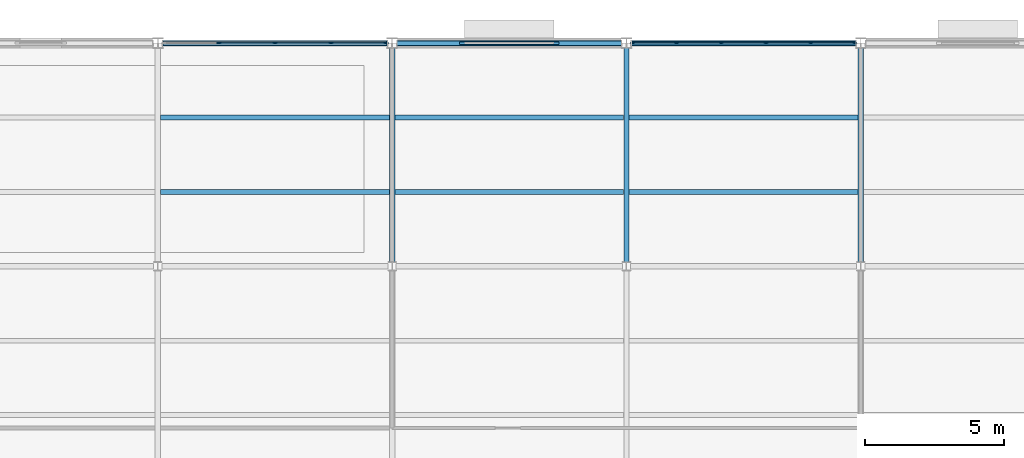
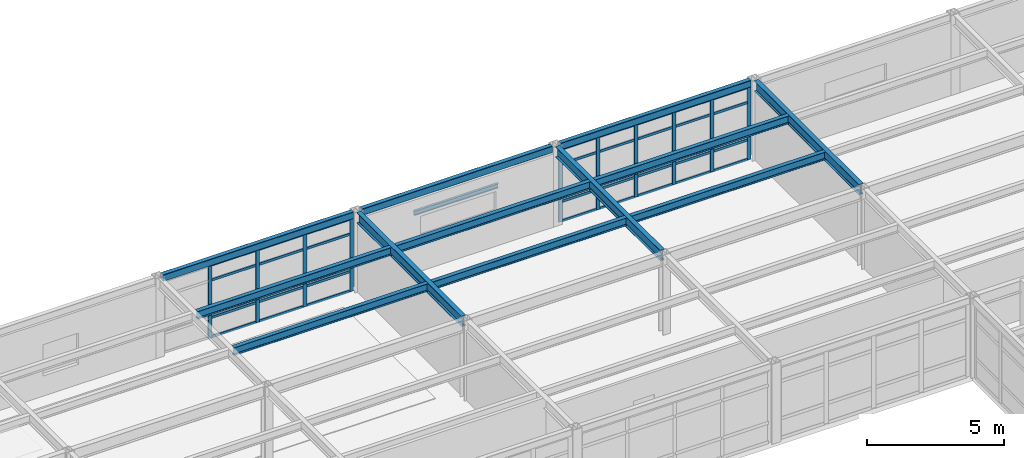
# One storey, part 34 of 96: 42 members, 13 beams, 2 elements without a shape of their own.
"""IFC4 building model written with IfcOpenShell, lengths in metres."""

from ifc_helpers import new_model, si_unit, direction, frame, origin, origin_2d, place, context, subcontext, project, spatial, rectangle, hollow_rectangle, i_section, extrude, material, layer, layer_set, material_profile, profile_set, type_object, element, aggregate, save


model = new_model("IFC4")

# Units and contexts
model_context = context("Model", 3, precision=1e-05, world=origin(), true_north=direction((0.0, 1.0)))
body_context = subcontext(model_context, "Body", "Model", "MODEL_VIEW")
ifc_project = project(units=[si_unit("LENGTHUNIT", "METRE"), si_unit("AREAUNIT", "SQUARE_METRE"), si_unit("VOLUMEUNIT", "CUBIC_METRE"), si_unit("PLANEANGLEUNIT", "RADIAN"), si_unit("MASSUNIT", "GRAM", prefix="KILO")], contexts=[model_context])

# Site, building, storey
site_placement = place(None, origin())
site = spatial("IfcSite", under=ifc_project, at=site_placement, CompositionType="ELEMENT")
building_placement = place(site_placement, origin())
building = spatial("IfcBuilding", under=site, at=building_placement, Name="Kranzveld Transit Interchange", CompositionType="ELEMENT")
storey_placement = place(building_placement, frame((0.0, 0.0, 9.52001953125)))
storey = spatial("IfcBuildingStorey", under=building, at=storey_placement, Name="L02", CompositionType="ELEMENT", Elevation=9.52001953125)

# Beams
ifc_material_1 = material(Name="Steel S355JR", Category="steel")
ifc_material_profile_1 = material_profile(ifc_material_1, i_section(OverallWidth=0.19189453125, OverallDepth=0.46337890625, WebThickness=0.010498046875, FlangeThickness=0.017578125, FilletRadius=0.01025390625, at=origin_2d()), Name="UB 457x191x89")
ifc_profile_set_1 = profile_set([ifc_material_profile_1], Name="Steel S355JR")
beam_type_1 = type_object("IfcBeamType", Name="Beam Steel UB 457x191x89 S355JR", PredefinedType="BEAM", material=ifc_profile_set_1)
for number, where, z_axis, x_axis, name in (
    (1, (134.39990234375, 104.159912109375, 3.33837890625), (0.0, 1.0, 0.0), (-1.0, 0.0, 0.0), "L02 Girder 17/P-Q"),
    (2, (142.800048828125, 104.159912109375, 3.33837890625), (0.0, 1.0, 0.0), (-1.0, 0.0, 0.0), "L02 Girder 18/P-Q"),
    (3, (151.199951171875, 104.159912109375, 3.33837890625), (0.0, 1.0, 0.0), (-1.0, 0.0, 0.0), "L02 Girder 19/P-Q"),
):
    element("IfcBeam", number, at=place(storey_placement, frame(where, z_axis=z_axis, x_axis=x_axis)), inside=storey, type_object=beam_type_1, Name=name, PredefinedType="BEAM", context=body_context, shape_type="SweptSolid", body=[
        extrude(i_section(OverallWidth=0.19189453125, OverallDepth=0.46337890625, WebThickness=0.010498046875, FlangeThickness=0.017578125, FilletRadius=0.01025390625, at=origin_2d()), origin(), (0.0, 0.0, 1.0), 7.662841796875),
    ])

# Curtain wall, members
ifc_material_2 = material(Name="Bronze-anodised thermally broken aluminium", Category="aluminium")
ifc_layer_1 = layer(ifc_material_2, 0.159912109375)
ifc_layer_set_1 = layer_set([ifc_layer_1], Name="Bronze-anodised thermally broken aluminium")
curtain_wall_type_1 = type_object("IfcCurtainWallType", Name="Bus Boarding Glazed Screen CW-3", PredefinedType="USERDEFINED", material=ifc_layer_set_1)
curtain_wall_1_placement = place(storey_placement, origin())
curtain_wall_1 = element("IfcCurtainWall", 4, at=curtain_wall_1_placement, inside=storey, type_object=curtain_wall_type_1, Name="L02 Curtain Wall 16/Q-17/Q", ObjectType="CURTAIN WALL", PredefinedType="USERDEFINED")
ifc_material_3 = material(Name="Bronze-anodised thermally broken aluminium", Category="aluminium")
ifc_material_profile_2 = material_profile(ifc_material_3, rectangle(XDim=0.06005859375, YDim=0.14990234375, at=origin_2d()), Name="ALU MULLION 60x150")
ifc_profile_set_2 = profile_set([ifc_material_profile_2], Name="Bronze-anodised thermally broken aluminium")
member_type_1 = type_object("IfcMemberType", Name="Curtain Wall Mullion 60x150 Alu", PredefinedType="MULLION", material=ifc_profile_set_2)
member_1_placement = place(storey_placement, frame((128.193603515625, 112.0, 0.0), z_axis=(0.0, 0.0, 1.0), x_axis=(0.0, 1.0, 0.0)))
member_1 = element("IfcMember", 5, at=member_1_placement, type_object=member_type_1, Name="CW-3 mullion 2", PredefinedType="MULLION", context=body_context, shape_type="SweptSolid", body=[
    extrude(rectangle(XDim=0.06005859375, YDim=0.14990234375, at=origin_2d()), origin(), (0.0, 0.0, 1.0), 3.27001953125),
])
member_2_placement = place(storey_placement, frame((130.199951171875, 112.0, 0.0), z_axis=(0.0, 0.0, 1.0), x_axis=(0.0, 1.0, 0.0)))
member_2 = element("IfcMember", 6, at=member_2_placement, type_object=member_type_1, Name="CW-3 mullion 3", PredefinedType="MULLION", context=body_context, shape_type="SweptSolid", body=[
    extrude(rectangle(XDim=0.06005859375, YDim=0.14990234375, at=origin_2d()), origin(), (0.0, 0.0, 1.0), 3.27001953125),
])
member_3_placement = place(storey_placement, frame((132.206298828125, 112.0, 0.0), z_axis=(0.0, 0.0, 1.0), x_axis=(0.0, 1.0, 0.0)))
member_3 = element("IfcMember", 7, at=member_3_placement, type_object=member_type_1, Name="CW-3 mullion 4", PredefinedType="MULLION", context=body_context, shape_type="SweptSolid", body=[
    extrude(rectangle(XDim=0.06005859375, YDim=0.14990234375, at=origin_2d()), origin(), (0.0, 0.0, 1.0), 3.27001953125),
])
member_4_placement = place(storey_placement, frame((134.1826171875, 112.0, 0.0), z_axis=(0.0, 0.0, 1.0), x_axis=(0.0, 1.0, 0.0)))
member_4 = element("IfcMember", 8, at=member_4_placement, type_object=member_type_1, Name="CW-3 mullion 5", PredefinedType="MULLION", context=body_context, shape_type="SweptSolid", body=[
    extrude(rectangle(XDim=0.06005859375, YDim=0.14990234375, at=origin_2d()), origin(), (0.0, 0.0, 1.0), 3.27001953125),
])

ifc_material_4 = material(Name="Bronze-anodised thermally broken aluminium", Category="aluminium")
ifc_layer_2 = layer(ifc_material_4, 0.14990234375)
ifc_layer_set_2 = layer_set([ifc_layer_2], Name="Bronze-anodised thermally broken aluminium")
curtain_wall_type_2 = type_object("IfcCurtainWallType", Name="Public Passage Clerestory Screen CW-4", PredefinedType="USERDEFINED", material=ifc_layer_set_2)
curtain_wall_2_placement = place(storey_placement, origin())
curtain_wall_2 = element("IfcCurtainWall", 9, at=curtain_wall_2_placement, inside=storey, type_object=curtain_wall_type_2, Name="L02 Curtain Wall 18/Q-19/Q", ObjectType="CURTAIN WALL", PredefinedType="USERDEFINED")
member_5_placement = place(storey_placement, frame((143.017333984375, 112.0, 0.0), z_axis=(0.0, 0.0, 1.0), x_axis=(0.0, 1.0, 0.0)))
member_5 = element("IfcMember", 10, at=member_5_placement, type_object=member_type_1, Name="CW-4 mullion 1", PredefinedType="MULLION", context=body_context, shape_type="SweptSolid", body=[
    extrude(rectangle(XDim=0.06005859375, YDim=0.14990234375, at=origin_2d()), origin(), (0.0, 0.0, 1.0), 3.27001953125),
])
member_6_placement = place(storey_placement, frame((144.59228515625, 112.0, 0.0), z_axis=(0.0, 0.0, 1.0), x_axis=(0.0, 1.0, 0.0)))
member_6 = element("IfcMember", 11, at=member_6_placement, type_object=member_type_1, Name="CW-4 mullion 2", PredefinedType="MULLION", context=body_context, shape_type="SweptSolid", body=[
    extrude(rectangle(XDim=0.06005859375, YDim=0.14990234375, at=origin_2d()), origin(), (0.0, 0.0, 1.0), 3.27001953125),
])
member_7_placement = place(storey_placement, frame((146.197509765625, 112.0, 0.0), z_axis=(0.0, 0.0, 1.0), x_axis=(0.0, 1.0, 0.0)))
member_7 = element("IfcMember", 12, at=member_7_placement, type_object=member_type_1, Name="CW-4 mullion 3", PredefinedType="MULLION", context=body_context, shape_type="SweptSolid", body=[
    extrude(rectangle(XDim=0.06005859375, YDim=0.14990234375, at=origin_2d()), origin(), (0.0, 0.0, 1.0), 3.27001953125),
])
member_8_placement = place(storey_placement, frame((147.802490234375, 112.0, 0.0), z_axis=(0.0, 0.0, 1.0), x_axis=(0.0, 1.0, 0.0)))
member_8 = element("IfcMember", 13, at=member_8_placement, type_object=member_type_1, Name="CW-4 mullion 4", PredefinedType="MULLION", context=body_context, shape_type="SweptSolid", body=[
    extrude(rectangle(XDim=0.06005859375, YDim=0.14990234375, at=origin_2d()), origin(), (0.0, 0.0, 1.0), 3.27001953125),
])
member_9_placement = place(storey_placement, frame((149.40771484375, 112.0, 0.0), z_axis=(0.0, 0.0, 1.0), x_axis=(0.0, 1.0, 0.0)))
member_9 = element("IfcMember", 14, at=member_9_placement, type_object=member_type_1, Name="CW-4 mullion 5", PredefinedType="MULLION", context=body_context, shape_type="SweptSolid", body=[
    extrude(rectangle(XDim=0.06005859375, YDim=0.14990234375, at=origin_2d()), origin(), (0.0, 0.0, 1.0), 3.27001953125),
])
member_10_placement = place(storey_placement, frame((150.982666015625, 112.0, 0.0), z_axis=(0.0, 0.0, 1.0), x_axis=(0.0, 1.0, 0.0)))
member_10 = element("IfcMember", 15, at=member_10_placement, type_object=member_type_1, Name="CW-4 mullion 6", PredefinedType="MULLION", context=body_context, shape_type="SweptSolid", body=[
    extrude(rectangle(XDim=0.06005859375, YDim=0.14990234375, at=origin_2d()), origin(), (0.0, 0.0, 1.0), 3.27001953125),
])

# Member
ifc_material_5 = material(Name="Bronze-anodised thermally broken aluminium", Category="aluminium")
ifc_material_profile_3 = material_profile(ifc_material_5, rectangle(XDim=0.06005859375, YDim=0.110107421875, at=origin_2d()), Name="ALU TRANSOM 60x110")
ifc_profile_set_3 = profile_set([ifc_material_profile_3], Name="Bronze-anodised thermally broken aluminium")
member_type_2 = type_object("IfcMemberType", Name="Curtain Wall Transom 60x110 Alu", PredefinedType="USERDEFINED", material=ifc_profile_set_3)
member_11_placement = place(storey_placement, frame((128.2236328125, 112.0, 0.030029296875), z_axis=(1.0, 0.0, 0.0), x_axis=(0.0, 1.0, 0.0)))
member_11 = element("IfcMember", 16, at=member_11_placement, type_object=member_type_2, Name="CW-3 transom 2.1", ObjectType="TRANSOM", PredefinedType="USERDEFINED", context=body_context, shape_type="SweptSolid", body=[
    extrude(rectangle(XDim=0.06005859375, YDim=0.110107421875, at=origin_2d()), origin(), (0.0, 0.0, 1.0), 1.9462890625),
])

member_12_placement = place(storey_placement, frame((128.2236328125, 112.0, 0.89990234375), z_axis=(1.0, 0.0, 0.0), x_axis=(0.0, 1.0, 0.0)))
member_12 = element("IfcMember", 17, at=member_12_placement, type_object=member_type_2, Name="CW-3 transom 2.2", ObjectType="TRANSOM", PredefinedType="USERDEFINED", context=body_context, shape_type="SweptSolid", body=[
    extrude(rectangle(XDim=0.06005859375, YDim=0.110107421875, at=origin_2d()), origin(), (0.0, 0.0, 1.0), 1.9462890625),
])

member_13_placement = place(storey_placement, frame((128.2236328125, 112.0, 2.570068359375), z_axis=(1.0, 0.0, 0.0), x_axis=(0.0, 1.0, 0.0)))
member_13 = element("IfcMember", 18, at=member_13_placement, type_object=member_type_2, Name="CW-3 transom 2.3", ObjectType="TRANSOM", PredefinedType="USERDEFINED", context=body_context, shape_type="SweptSolid", body=[
    extrude(rectangle(XDim=0.06005859375, YDim=0.110107421875, at=origin_2d()), origin(), (0.0, 0.0, 1.0), 1.9462890625),
])

member_14_placement = place(storey_placement, frame((128.2236328125, 112.0, 3.239990234375), z_axis=(1.0, 0.0, 0.0), x_axis=(0.0, 1.0, 0.0)))
member_14 = element("IfcMember", 19, at=member_14_placement, type_object=member_type_2, Name="CW-3 transom 2.4", ObjectType="TRANSOM", PredefinedType="USERDEFINED", context=body_context, shape_type="SweptSolid", body=[
    extrude(rectangle(XDim=0.06005859375, YDim=0.110107421875, at=origin_2d()), origin(), (0.0, 0.0, 1.0), 1.9462890625),
])

member_15_placement = place(storey_placement, frame((130.22998046875, 112.0, 0.030029296875), z_axis=(1.0, 0.0, 0.0), x_axis=(0.0, 1.0, 0.0)))
member_15 = element("IfcMember", 20, at=member_15_placement, type_object=member_type_2, Name="CW-3 transom 3.1", ObjectType="TRANSOM", PredefinedType="USERDEFINED", context=body_context, shape_type="SweptSolid", body=[
    extrude(rectangle(XDim=0.06005859375, YDim=0.110107421875, at=origin_2d()), origin(), (0.0, 0.0, 1.0), 1.9462890625),
])

member_16_placement = place(storey_placement, frame((130.22998046875, 112.0, 0.89990234375), z_axis=(1.0, 0.0, 0.0), x_axis=(0.0, 1.0, 0.0)))
member_16 = element("IfcMember", 21, at=member_16_placement, type_object=member_type_2, Name="CW-3 transom 3.2", ObjectType="TRANSOM", PredefinedType="USERDEFINED", context=body_context, shape_type="SweptSolid", body=[
    extrude(rectangle(XDim=0.06005859375, YDim=0.110107421875, at=origin_2d()), origin(), (0.0, 0.0, 1.0), 1.9462890625),
])

member_17_placement = place(storey_placement, frame((130.22998046875, 112.0, 2.570068359375), z_axis=(1.0, 0.0, 0.0), x_axis=(0.0, 1.0, 0.0)))
member_17 = element("IfcMember", 22, at=member_17_placement, type_object=member_type_2, Name="CW-3 transom 3.3", ObjectType="TRANSOM", PredefinedType="USERDEFINED", context=body_context, shape_type="SweptSolid", body=[
    extrude(rectangle(XDim=0.06005859375, YDim=0.110107421875, at=origin_2d()), origin(), (0.0, 0.0, 1.0), 1.9462890625),
])

member_18_placement = place(storey_placement, frame((130.22998046875, 112.0, 3.239990234375), z_axis=(1.0, 0.0, 0.0), x_axis=(0.0, 1.0, 0.0)))
member_18 = element("IfcMember", 23, at=member_18_placement, type_object=member_type_2, Name="CW-3 transom 3.4", ObjectType="TRANSOM", PredefinedType="USERDEFINED", context=body_context, shape_type="SweptSolid", body=[
    extrude(rectangle(XDim=0.06005859375, YDim=0.110107421875, at=origin_2d()), origin(), (0.0, 0.0, 1.0), 1.9462890625),
])

member_19_placement = place(storey_placement, frame((132.236328125, 112.0, 0.030029296875), z_axis=(1.0, 0.0, 0.0), x_axis=(0.0, 1.0, 0.0)))
member_19 = element("IfcMember", 24, at=member_19_placement, type_object=member_type_2, Name="CW-3 transom 4.1", ObjectType="TRANSOM", PredefinedType="USERDEFINED", context=body_context, shape_type="SweptSolid", body=[
    extrude(rectangle(XDim=0.06005859375, YDim=0.110107421875, at=origin_2d()), origin(), (0.0, 0.0, 1.0), 1.916259765625),
])

member_20_placement = place(storey_placement, frame((132.236328125, 112.0, 0.89990234375), z_axis=(1.0, 0.0, 0.0), x_axis=(0.0, 1.0, 0.0)))
member_20 = element("IfcMember", 25, at=member_20_placement, type_object=member_type_2, Name="CW-3 transom 4.2", ObjectType="TRANSOM", PredefinedType="USERDEFINED", context=body_context, shape_type="SweptSolid", body=[
    extrude(rectangle(XDim=0.06005859375, YDim=0.110107421875, at=origin_2d()), origin(), (0.0, 0.0, 1.0), 1.916259765625),
])

member_21_placement = place(storey_placement, frame((132.236328125, 112.0, 2.570068359375), z_axis=(1.0, 0.0, 0.0), x_axis=(0.0, 1.0, 0.0)))
member_21 = element("IfcMember", 26, at=member_21_placement, type_object=member_type_2, Name="CW-3 transom 4.3", ObjectType="TRANSOM", PredefinedType="USERDEFINED", context=body_context, shape_type="SweptSolid", body=[
    extrude(rectangle(XDim=0.06005859375, YDim=0.110107421875, at=origin_2d()), origin(), (0.0, 0.0, 1.0), 1.916259765625),
])

member_22_placement = place(storey_placement, frame((132.236328125, 112.0, 3.239990234375), z_axis=(1.0, 0.0, 0.0), x_axis=(0.0, 1.0, 0.0)))
member_22 = element("IfcMember", 27, at=member_22_placement, type_object=member_type_2, Name="CW-3 transom 4.4", ObjectType="TRANSOM", PredefinedType="USERDEFINED", context=body_context, shape_type="SweptSolid", body=[
    extrude(rectangle(XDim=0.06005859375, YDim=0.110107421875, at=origin_2d()), origin(), (0.0, 0.0, 1.0), 1.916259765625),
])

aggregate(curtain_wall_1, [member_1, member_2, member_3, member_4, member_11, member_12, member_13, member_14, member_15, member_16, member_17, member_18, member_19, member_20, member_21, member_22])

member_23_placement = place(storey_placement, frame((143.04736328125, 112.0, 0.030029296875), z_axis=(1.0, 0.0, 0.0), x_axis=(0.0, 1.0, 0.0)))
member_23 = element("IfcMember", 28, at=member_23_placement, type_object=member_type_2, Name="CW-4 transom 1.1", ObjectType="TRANSOM", PredefinedType="USERDEFINED", context=body_context, shape_type="SweptSolid", body=[
    extrude(rectangle(XDim=0.06005859375, YDim=0.110107421875, at=origin_2d()), origin(), (0.0, 0.0, 1.0), 1.51513671875),
])

member_24_placement = place(storey_placement, frame((143.04736328125, 112.0, 0.89990234375), z_axis=(1.0, 0.0, 0.0), x_axis=(0.0, 1.0, 0.0)))
member_24 = element("IfcMember", 29, at=member_24_placement, type_object=member_type_2, Name="CW-4 transom 1.2", ObjectType="TRANSOM", PredefinedType="USERDEFINED", context=body_context, shape_type="SweptSolid", body=[
    extrude(rectangle(XDim=0.06005859375, YDim=0.110107421875, at=origin_2d()), origin(), (0.0, 0.0, 1.0), 1.51513671875),
])

member_25_placement = place(storey_placement, frame((143.04736328125, 112.0, 2.570068359375), z_axis=(1.0, 0.0, 0.0), x_axis=(0.0, 1.0, 0.0)))
member_25 = element("IfcMember", 30, at=member_25_placement, type_object=member_type_2, Name="CW-4 transom 1.3", ObjectType="TRANSOM", PredefinedType="USERDEFINED", context=body_context, shape_type="SweptSolid", body=[
    extrude(rectangle(XDim=0.06005859375, YDim=0.110107421875, at=origin_2d()), origin(), (0.0, 0.0, 1.0), 1.51513671875),
])

member_26_placement = place(storey_placement, frame((143.04736328125, 112.0, 3.239990234375), z_axis=(1.0, 0.0, 0.0), x_axis=(0.0, 1.0, 0.0)))
member_26 = element("IfcMember", 31, at=member_26_placement, type_object=member_type_2, Name="CW-4 transom 1.4", ObjectType="TRANSOM", PredefinedType="USERDEFINED", context=body_context, shape_type="SweptSolid", body=[
    extrude(rectangle(XDim=0.06005859375, YDim=0.110107421875, at=origin_2d()), origin(), (0.0, 0.0, 1.0), 1.51513671875),
])

member_27_placement = place(storey_placement, frame((144.622314453125, 112.0, 0.030029296875), z_axis=(1.0, 0.0, 0.0), x_axis=(0.0, 1.0, 0.0)))
member_27 = element("IfcMember", 32, at=member_27_placement, type_object=member_type_2, Name="CW-4 transom 2.1", ObjectType="TRANSOM", PredefinedType="USERDEFINED", context=body_context, shape_type="SweptSolid", body=[
    extrude(rectangle(XDim=0.06005859375, YDim=0.110107421875, at=origin_2d()), origin(), (0.0, 0.0, 1.0), 1.545166015625),
])

member_28_placement = place(storey_placement, frame((144.622314453125, 112.0, 0.89990234375), z_axis=(1.0, 0.0, 0.0), x_axis=(0.0, 1.0, 0.0)))
member_28 = element("IfcMember", 33, at=member_28_placement, type_object=member_type_2, Name="CW-4 transom 2.2", ObjectType="TRANSOM", PredefinedType="USERDEFINED", context=body_context, shape_type="SweptSolid", body=[
    extrude(rectangle(XDim=0.06005859375, YDim=0.110107421875, at=origin_2d()), origin(), (0.0, 0.0, 1.0), 1.545166015625),
])

member_29_placement = place(storey_placement, frame((144.622314453125, 112.0, 2.570068359375), z_axis=(1.0, 0.0, 0.0), x_axis=(0.0, 1.0, 0.0)))
member_29 = element("IfcMember", 34, at=member_29_placement, type_object=member_type_2, Name="CW-4 transom 2.3", ObjectType="TRANSOM", PredefinedType="USERDEFINED", context=body_context, shape_type="SweptSolid", body=[
    extrude(rectangle(XDim=0.06005859375, YDim=0.110107421875, at=origin_2d()), origin(), (0.0, 0.0, 1.0), 1.545166015625),
])

member_30_placement = place(storey_placement, frame((144.622314453125, 112.0, 3.239990234375), z_axis=(1.0, 0.0, 0.0), x_axis=(0.0, 1.0, 0.0)))
member_30 = element("IfcMember", 35, at=member_30_placement, type_object=member_type_2, Name="CW-4 transom 2.4", ObjectType="TRANSOM", PredefinedType="USERDEFINED", context=body_context, shape_type="SweptSolid", body=[
    extrude(rectangle(XDim=0.06005859375, YDim=0.110107421875, at=origin_2d()), origin(), (0.0, 0.0, 1.0), 1.545166015625),
])

member_31_placement = place(storey_placement, frame((146.2275390625, 112.0, 0.030029296875), z_axis=(1.0, 0.0, 0.0), x_axis=(0.0, 1.0, 0.0)))
member_31 = element("IfcMember", 36, at=member_31_placement, type_object=member_type_2, Name="CW-4 transom 3.1", ObjectType="TRANSOM", PredefinedType="USERDEFINED", context=body_context, shape_type="SweptSolid", body=[
    extrude(rectangle(XDim=0.06005859375, YDim=0.110107421875, at=origin_2d()), origin(), (0.0, 0.0, 1.0), 1.544921875),
])

member_32_placement = place(storey_placement, frame((146.2275390625, 112.0, 0.89990234375), z_axis=(1.0, 0.0, 0.0), x_axis=(0.0, 1.0, 0.0)))
member_32 = element("IfcMember", 37, at=member_32_placement, type_object=member_type_2, Name="CW-4 transom 3.2", ObjectType="TRANSOM", PredefinedType="USERDEFINED", context=body_context, shape_type="SweptSolid", body=[
    extrude(rectangle(XDim=0.06005859375, YDim=0.110107421875, at=origin_2d()), origin(), (0.0, 0.0, 1.0), 1.544921875),
])

member_33_placement = place(storey_placement, frame((146.2275390625, 112.0, 2.570068359375), z_axis=(1.0, 0.0, 0.0), x_axis=(0.0, 1.0, 0.0)))
member_33 = element("IfcMember", 38, at=member_33_placement, type_object=member_type_2, Name="CW-4 transom 3.3", ObjectType="TRANSOM", PredefinedType="USERDEFINED", context=body_context, shape_type="SweptSolid", body=[
    extrude(rectangle(XDim=0.06005859375, YDim=0.110107421875, at=origin_2d()), origin(), (0.0, 0.0, 1.0), 1.544921875),
])

member_34_placement = place(storey_placement, frame((146.2275390625, 112.0, 3.239990234375), z_axis=(1.0, 0.0, 0.0), x_axis=(0.0, 1.0, 0.0)))
member_34 = element("IfcMember", 39, at=member_34_placement, type_object=member_type_2, Name="CW-4 transom 3.4", ObjectType="TRANSOM", PredefinedType="USERDEFINED", context=body_context, shape_type="SweptSolid", body=[
    extrude(rectangle(XDim=0.06005859375, YDim=0.110107421875, at=origin_2d()), origin(), (0.0, 0.0, 1.0), 1.544921875),
])

member_35_placement = place(storey_placement, frame((147.83251953125, 112.0, 0.030029296875), z_axis=(1.0, 0.0, 0.0), x_axis=(0.0, 1.0, 0.0)))
member_35 = element("IfcMember", 40, at=member_35_placement, type_object=member_type_2, Name="CW-4 transom 4.1", ObjectType="TRANSOM", PredefinedType="USERDEFINED", context=body_context, shape_type="SweptSolid", body=[
    extrude(rectangle(XDim=0.06005859375, YDim=0.110107421875, at=origin_2d()), origin(), (0.0, 0.0, 1.0), 1.545166015625),
])

member_36_placement = place(storey_placement, frame((147.83251953125, 112.0, 0.89990234375), z_axis=(1.0, 0.0, 0.0), x_axis=(0.0, 1.0, 0.0)))
member_36 = element("IfcMember", 41, at=member_36_placement, type_object=member_type_2, Name="CW-4 transom 4.2", ObjectType="TRANSOM", PredefinedType="USERDEFINED", context=body_context, shape_type="SweptSolid", body=[
    extrude(rectangle(XDim=0.06005859375, YDim=0.110107421875, at=origin_2d()), origin(), (0.0, 0.0, 1.0), 1.545166015625),
])

member_37_placement = place(storey_placement, frame((147.83251953125, 112.0, 2.570068359375), z_axis=(1.0, 0.0, 0.0), x_axis=(0.0, 1.0, 0.0)))
member_37 = element("IfcMember", 42, at=member_37_placement, type_object=member_type_2, Name="CW-4 transom 4.3", ObjectType="TRANSOM", PredefinedType="USERDEFINED", context=body_context, shape_type="SweptSolid", body=[
    extrude(rectangle(XDim=0.06005859375, YDim=0.110107421875, at=origin_2d()), origin(), (0.0, 0.0, 1.0), 1.545166015625),
])

member_38_placement = place(storey_placement, frame((147.83251953125, 112.0, 3.239990234375), z_axis=(1.0, 0.0, 0.0), x_axis=(0.0, 1.0, 0.0)))
member_38 = element("IfcMember", 43, at=member_38_placement, type_object=member_type_2, Name="CW-4 transom 4.4", ObjectType="TRANSOM", PredefinedType="USERDEFINED", context=body_context, shape_type="SweptSolid", body=[
    extrude(rectangle(XDim=0.06005859375, YDim=0.110107421875, at=origin_2d()), origin(), (0.0, 0.0, 1.0), 1.545166015625),
])

member_39_placement = place(storey_placement, frame((149.4375, 112.0, 0.030029296875), z_axis=(1.0, 0.0, 0.0), x_axis=(0.0, 1.0, 0.0)))
member_39 = element("IfcMember", 44, at=member_39_placement, type_object=member_type_2, Name="CW-4 transom 5.1", ObjectType="TRANSOM", PredefinedType="USERDEFINED", context=body_context, shape_type="SweptSolid", body=[
    extrude(rectangle(XDim=0.06005859375, YDim=0.110107421875, at=origin_2d()), origin(), (0.0, 0.0, 1.0), 1.51513671875),
])

member_40_placement = place(storey_placement, frame((149.4375, 112.0, 0.89990234375), z_axis=(1.0, 0.0, 0.0), x_axis=(0.0, 1.0, 0.0)))
member_40 = element("IfcMember", 45, at=member_40_placement, type_object=member_type_2, Name="CW-4 transom 5.2", ObjectType="TRANSOM", PredefinedType="USERDEFINED", context=body_context, shape_type="SweptSolid", body=[
    extrude(rectangle(XDim=0.06005859375, YDim=0.110107421875, at=origin_2d()), origin(), (0.0, 0.0, 1.0), 1.51513671875),
])

member_41_placement = place(storey_placement, frame((149.4375, 112.0, 2.570068359375), z_axis=(1.0, 0.0, 0.0), x_axis=(0.0, 1.0, 0.0)))
member_41 = element("IfcMember", 46, at=member_41_placement, type_object=member_type_2, Name="CW-4 transom 5.3", ObjectType="TRANSOM", PredefinedType="USERDEFINED", context=body_context, shape_type="SweptSolid", body=[
    extrude(rectangle(XDim=0.06005859375, YDim=0.110107421875, at=origin_2d()), origin(), (0.0, 0.0, 1.0), 1.51513671875),
])

member_42_placement = place(storey_placement, frame((149.4375, 112.0, 3.239990234375), z_axis=(1.0, 0.0, 0.0), x_axis=(0.0, 1.0, 0.0)))
member_42 = element("IfcMember", 47, at=member_42_placement, type_object=member_type_2, Name="CW-4 transom 5.4", ObjectType="TRANSOM", PredefinedType="USERDEFINED", context=body_context, shape_type="SweptSolid", body=[
    extrude(rectangle(XDim=0.06005859375, YDim=0.110107421875, at=origin_2d()), origin(), (0.0, 0.0, 1.0), 1.51513671875),
])

aggregate(curtain_wall_2, [member_5, member_6, member_7, member_8, member_9, member_10, member_23, member_24, member_25, member_26, member_27, member_28, member_29, member_30, member_31, member_32, member_33, member_34, member_35, member_36, member_37, member_38, member_39, member_40, member_41, member_42])

# Beams
ifc_material_6 = material(Name="Steel S355JR", Category="steel")
ifc_material_profile_4 = material_profile(ifc_material_6, hollow_rectangle(XDim=0.199951171875, YDim=0.300048828125, WallThickness=0.010009765625, InnerFilletRadius=0.014892578125, OuterFilletRadius=0.02490234375, at=origin_2d()), Name="RHS 300x200x10")
ifc_profile_set_4 = profile_set([ifc_material_profile_4], Name="Steel S355JR")
beam_type_2 = type_object("IfcBeamType", Name="Edge Spandrel RHS 300x200x10 S355JR", PredefinedType="SPANDREL", material=ifc_profile_set_4)
for number, where, z_axis, x_axis, name in (
    (48, (126.17724609375, 112.0, 3.419921875), (1.0, 0.0, 0.0), (0.0, 1.0, 0.0), "L02 Girder 16-17/Q"),
    (49, (134.577392578125, 112.0, 3.419921875), (1.0, 0.0, 0.0), (0.0, 1.0, 0.0), "L02 Girder 17-18/Q"),
    (50, (142.977294921875, 112.0, 3.419921875), (1.0, 0.0, 0.0), (0.0, 1.0, 0.0), "L02 Girder 18-19/Q"),
):
    element("IfcBeam", number, at=place(storey_placement, frame(where, z_axis=z_axis, x_axis=x_axis)), inside=storey, type_object=beam_type_2, Name=name, PredefinedType="SPANDREL", context=body_context, shape_type="SweptSolid", body=[
        extrude(hollow_rectangle(XDim=0.199951171875, YDim=0.300048828125, WallThickness=0.010009765625, InnerFilletRadius=0.014892578125, OuterFilletRadius=0.02490234375, at=origin_2d()), origin(), (0.0, 0.0, 1.0), 8.04541015625),
    ])
ifc_material_7 = material(Name="Steel S355JR", Category="steel")
ifc_material_profile_5 = material_profile(ifc_material_7, i_section(OverallWidth=0.171142578125, OverallDepth=0.351318359375, WebThickness=0.007080078125, FlangeThickness=0.009765625, FilletRadius=0.01025390625, at=origin_2d()), Name="UB 356x171x45")
ifc_profile_set_5 = profile_set([ifc_material_profile_5], Name="Steel S355JR")
beam_type_3 = type_object("IfcBeamType", Name="Floor Joist UB 356x171x45 S355JR", PredefinedType="JOIST", material=ifc_profile_set_5)
for number, where, z_axis, x_axis, name in (
    (51, (126.097900390625, 106.666748046875, 3.394287109375), (1.0, 0.0, 0.0), (0.0, 1.0, 0.0), "L02 Secondary Joist 16-17/P.1"),
    (52, (126.097900390625, 109.333251953125, 3.394287109375), (1.0, 0.0, 0.0), (0.0, 1.0, 0.0), "L02 Secondary Joist 16-17/P.2"),
    (53, (134.498046875, 106.666748046875, 3.394287109375), (1.0, 0.0, 0.0), (0.0, 1.0, 0.0), "L02 Secondary Joist 17-18/P.1"),
    (54, (134.498046875, 109.333251953125, 3.394287109375), (1.0, 0.0, 0.0), (0.0, 1.0, 0.0), "L02 Secondary Joist 17-18/P.2"),
    (55, (142.89794921875, 106.666748046875, 3.394287109375), (1.0, 0.0, 0.0), (0.0, 1.0, 0.0), "L02 Secondary Joist 18-19/P.1"),
    (56, (142.89794921875, 109.333251953125, 3.394287109375), (1.0, 0.0, 0.0), (0.0, 1.0, 0.0), "L02 Secondary Joist 18-19/P.2"),
):
    element("IfcBeam", number, at=place(storey_placement, frame(where, z_axis=z_axis, x_axis=x_axis)), inside=storey, type_object=beam_type_3, Name=name, PredefinedType="JOIST", context=body_context, shape_type="SweptSolid", body=[
        extrude(i_section(OverallWidth=0.171142578125, OverallDepth=0.351318359375, WebThickness=0.007080078125, FlangeThickness=0.009765625, FilletRadius=0.01025390625, at=origin_2d()), origin(), (0.0, 0.0, 1.0), 8.2041015625),
    ])
ifc_material_8 = material(Name="Steel S355JR", Category="steel")
ifc_material_profile_6 = material_profile(ifc_material_8, i_section(OverallWidth=0.10009765625, OverallDepth=0.199951171875, WebThickness=0.005615234375, FlangeThickness=0.008544921875, FilletRadius=0.011962890625, at=origin_2d()), Name="IPE 200")
ifc_profile_set_6 = profile_set([ifc_material_profile_6], Name="Steel S355JR")
beam_type_4 = type_object("IfcBeamType", Name="Opening Lintel IPE 200 S355JR", PredefinedType="LINTEL", material=ifc_profile_set_6)
beam_placement = place(storey_placement, frame((136.820068359375, 112.0, 2.554931640625), z_axis=(1.0, 0.0, 0.0), x_axis=(0.0, 1.0, 0.0)))
element("IfcBeam", 57, at=beam_placement, inside=storey, type_object=beam_type_4, Name="L02 Window Lintel 134", PredefinedType="LINTEL", context=body_context, shape_type="SweptSolid", body=[
    extrude(i_section(OverallWidth=0.10009765625, OverallDepth=0.199951171875, WebThickness=0.005615234375, FlangeThickness=0.008544921875, FilletRadius=0.011962890625, at=origin_2d()), origin(), (0.0, 0.0, 1.0), 3.559814453125),
])

save(model, "model.ifc")
